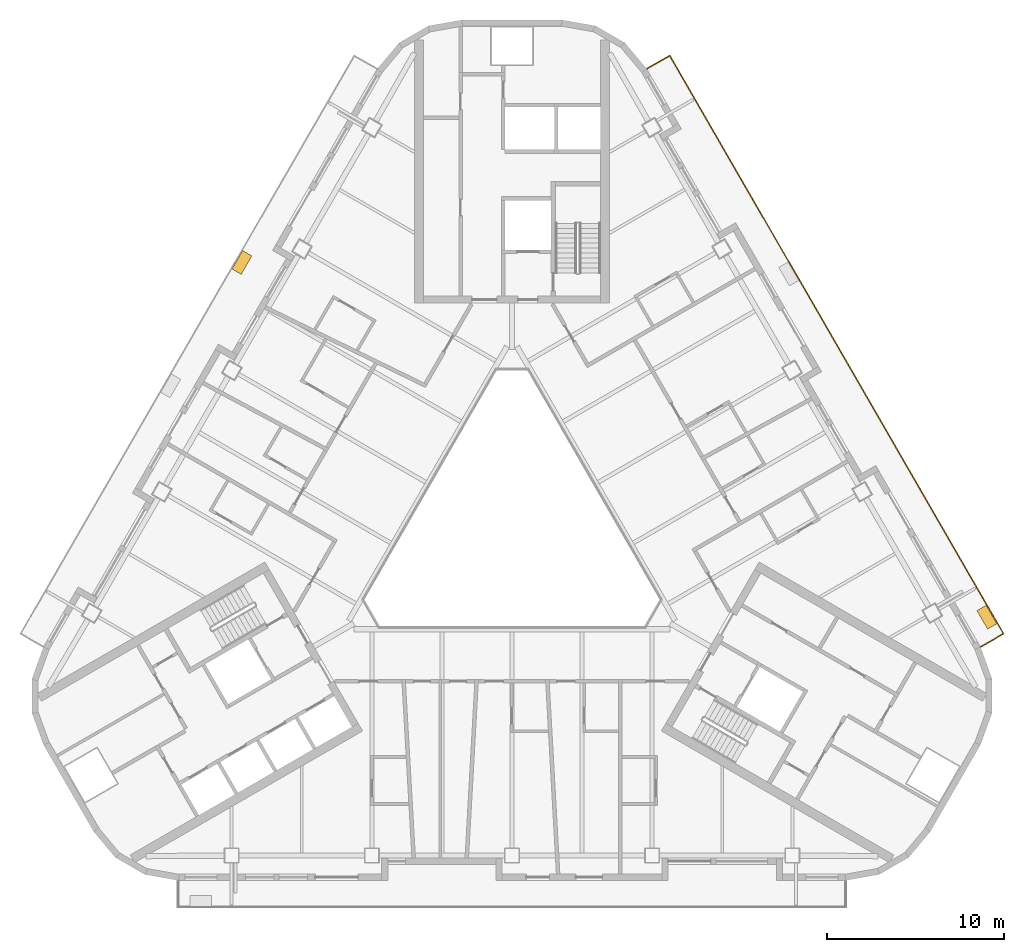
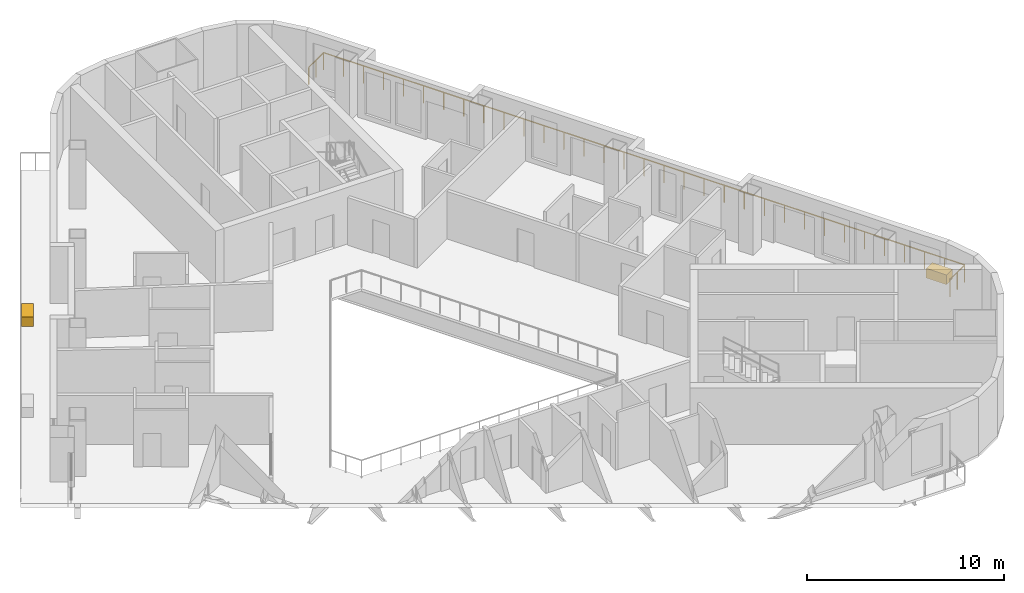
# One storey, part 13 of 14: 2 coverings, 1 railing.
"""IFC4 building model written with IfcOpenShell, lengths in metres."""

import ifcopenshell
import ifcopenshell.guid

model = None  # the IFC model being written
_history = None  # IfcOwnerHistory: only IFC2X3 demands one
_inside = {}  # id of a spatial element -> (the spatial element, [elements in it])
_under = {}  # id of a project, library or spatial element -> (it, [spatial elements below it])
_declared = {}  # id of a project -> (the project, [libraries it declares])
_typed = {}  # id of a type object -> (the type object, [elements of that type])
_made_of = {}  # id of a material, layer set ... -> (it, [elements and type objects made of it])


def new_model(schema):
    """Start an empty IFC model of exactly this schema.

    Asked for "IFC4X3", IfcOpenShell would pick the latest addendum, in which some entities
    have other attributes; the version numbers below select the first issue.
    IFC2X3 requires an IfcOwnerHistory on every rooted entity: one is made here for all.
    """
    global model, _history
    if schema == "IFC4X3":
        model = ifcopenshell.file(schema_version=(4, 3, 0, 0))
    else:
        model = ifcopenshell.file(schema=schema)
    _inside.clear()
    _under.clear()
    _declared.clear()
    _typed.clear()
    _made_of.clear()
    _history = None
    if model.schema == "IFC2X3":
        org = make("IfcOrganization", Name="unknown")
        user = make(
            "IfcPersonAndOrganization",
            ThePerson=make("IfcPerson", FamilyName="unknown"),
            TheOrganization=org,
        )
        app = make(
            "IfcApplication",
            ApplicationDeveloper=org,
            Version="unknown",
            ApplicationFullName="unknown",
            ApplicationIdentifier="unknown",
        )
        _history = make(
            "IfcOwnerHistory",
            OwningUser=user,
            OwningApplication=app,
            ChangeAction="ADDED",
            CreationDate=0,
        )
    return model


def make(cls, **values):
    """One entity of the class cls with the attributes given. An attribute that is None is left unset."""
    return model.create_entity(
        cls, **{name: value for name, value in values.items() if value is not None}
    )


def rooted(cls, **values):
    """An entity with a GlobalId (a new one), such as an element, a storey or a relation."""
    return make(cls, GlobalId=ifcopenshell.guid.new(), OwnerHistory=_history, **values)


def si_unit(unit_type, name, prefix=None):
    """IfcSIUnit, for example si_unit("LENGTHUNIT", "METRE", prefix="MILLI")."""
    return make("IfcSIUnit", UnitType=unit_type, Prefix=prefix, Name=name)


def assignment(units):
    """IfcUnitAssignment: the units of a project."""
    return None if units is None else make("IfcUnitAssignment", Units=units)


def point(xyz):
    """IfcCartesianPoint."""
    return None if xyz is None else make("IfcCartesianPoint", Coordinates=xyz)


def direction(xyz):
    """IfcDirection."""
    return None if xyz is None else make("IfcDirection", DirectionRatios=xyz)


def frame(location, z_axis=None, x_axis=None):
    """IfcAxis2Placement3D, a coordinate frame: its origin and axes. An axis left out is left unset."""
    return make(
        "IfcAxis2Placement3D",
        Location=point(location),
        Axis=direction(z_axis),
        RefDirection=direction(x_axis),
    )


def frame_2d(location, x_axis=None):
    """IfcAxis2Placement2D, a coordinate frame in the plane: its origin and x axis."""
    return make(
        "IfcAxis2Placement2D", Location=point(location), RefDirection=direction(x_axis)
    )


def origin():
    """The frame at (0, 0, 0) with its axes left unset."""
    return frame((0.0, 0.0, 0.0))


def origin_2d():
    """The frame at (0, 0) in the plane with its x axis left unset."""
    return frame_2d((0.0, 0.0))


def place(relative_to, where):
    """IfcLocalPlacement: puts the frame where relative to a parent placement (None: the world)."""
    return make(
        "IfcLocalPlacement", PlacementRelTo=relative_to, RelativePlacement=where
    )


def context(
    kind, dimensions, precision=None, world=None, true_north=None, identifier=None
):
    """IfcGeometricRepresentationContext, for example the 3D "Model" context."""
    return make(
        "IfcGeometricRepresentationContext",
        ContextIdentifier=identifier,
        ContextType=kind,
        CoordinateSpaceDimension=dimensions,
        Precision=precision,
        WorldCoordinateSystem=world,
        TrueNorth=true_north,
    )


def subcontext(parent, identifier, kind, view, scale=None):
    """IfcGeometricRepresentationSubContext, for example "Body" below "Model"."""
    return make(
        "IfcGeometricRepresentationSubContext",
        ContextIdentifier=identifier,
        ContextType=kind,
        ParentContext=parent,
        TargetScale=scale,
        TargetView=view,
    )


def project(units=None, contexts=None):
    """IfcProject with its units and contexts."""
    return rooted(
        "IfcProject",
        Name="project",
        RepresentationContexts=contexts,
        UnitsInContext=assignment(units),
    )


def spatial(cls, under=None, at=None, **own):
    """A site, building, storey or space (cls), placed at a placement, below another one or the project."""
    s = rooted(cls, ObjectPlacement=at, **own)
    if under is not None:
        _under.setdefault(under.id(), (under, []))[1].append(s)
    return s


def profile(cls, at=None, kind="AREA", **sizes):
    """A parametric profile (cls). Its sizes go by their IFC names, for example OverallWidth=200.0."""
    return make(cls, ProfileType=kind, Position=at, **sizes)


def rectangle(**sizes):
    """IfcRectangleProfileDef."""
    return profile("IfcRectangleProfileDef", **sizes)


def extrude(swept, where, along, depth):
    """IfcExtrudedAreaSolid: the profile swept, set in the frame where, extruded along a direction by depth."""
    return make(
        "IfcExtrudedAreaSolid",
        SweptArea=swept,
        Position=where,
        ExtrudedDirection=direction(along),
        Depth=depth,
    )


def shape(context_of_items, identifier, shape_type, items):
    """IfcShapeRepresentation: the items that make up one representation, for example the "Body"."""
    return make(
        "IfcShapeRepresentation",
        ContextOfItems=context_of_items,
        RepresentationIdentifier=identifier,
        RepresentationType=shape_type,
        Items=items,
    )


def material(Name=None, Category=None):
    """IfcMaterial."""
    return make("IfcMaterial", Name=Name, Category=Category)


def made_of(thing, what):
    """Note that an element or type object is made of a material, layer set ...; save() writes the relation."""
    if what is not None:
        _made_of.setdefault(what.id(), (what, []))[1].append(thing)
    return thing


def type_object(cls, material=None, **own):
    """A type object (cls), such as IfcWallType, which elements share."""
    return made_of(rooted(cls, **own), material)


def element(
    cls,
    number,
    at=None,
    inside=None,
    cuts=None,
    type_object=None,
    material=None,
    context=None,
    identifier="Body",
    shape_type=None,
    held_by="IfcProductDefinitionShape",
    body=None,
    shapes=None,
    **own,
):
    """One element of the class cls, such as IfcWall. Its Tag is "e" and its number.

    at: its placement. inside: the storey or other place that contains it. cuts: it is an
    opening in that element (IfcRelVoidsElement). A single representation is given by context,
    identifier, shape_type and body (its items); several are given by shapes. held_by: the class
    of the entity that holds the representations. save() writes the other relations.
    """
    e = rooted(cls, Tag="e%d" % number, ObjectPlacement=at, **own)
    if body is not None:
        shapes = [shape(context, identifier, shape_type, body)]
    if shapes is not None:
        e.Representation = make(held_by, Representations=shapes)
    if inside is not None:
        _inside.setdefault(inside.id(), (inside, []))[1].append(e)
    if cuts is not None:
        rooted(
            "IfcRelVoidsElement", RelatingBuildingElement=cuts, RelatedOpeningElement=e
        )
    if type_object is not None:
        _typed.setdefault(type_object.id(), (type_object, []))[1].append(e)
    return made_of(e, material)


def aggregate(whole, parts):
    """IfcRelAggregates: a whole, such as a stair, and the parts it consists of."""
    return rooted("IfcRelAggregates", RelatingObject=whole, RelatedObjects=parts)


def save(model, path):
    """Write the relations noted so far, then the file.

    IfcRelAggregates (storeys below a building ...), IfcRelContainedInSpatialStructure (elements
    in a storey), IfcRelDefinesByType, IfcRelAssociatesMaterial and IfcRelDeclares: one each for
    every whole, place, type object, material and project.
    """
    for whole, parts in _under.values():
        aggregate(whole, parts)
    for where, things in _inside.values():
        rooted(
            "IfcRelContainedInSpatialStructure",
            RelatedElements=things,
            RelatingStructure=where,
        )
    for kind, things in _typed.values():
        rooted("IfcRelDefinesByType", RelatedObjects=things, RelatingType=kind)
    for what, things in _made_of.values():
        rooted("IfcRelAssociatesMaterial", RelatedObjects=things, RelatingMaterial=what)
    for by, libraries in _declared.values():
        rooted("IfcRelDeclares", RelatingContext=by, RelatedDefinitions=libraries)
    model.write(path)


model = new_model("IFC4")

# Units and contexts
model_context = context("Model", 3, precision=1e-05, world=origin(), true_north=direction((0.0, 1.0)))
body_context = subcontext(model_context, "Body", "Model", "MODEL_VIEW")
ifc_project = project(units=[si_unit("LENGTHUNIT", "METRE"), si_unit("AREAUNIT", "SQUARE_METRE"), si_unit("VOLUMEUNIT", "CUBIC_METRE"), si_unit("PLANEANGLEUNIT", "RADIAN"), si_unit("MASSUNIT", "GRAM", prefix="KILO")], contexts=[model_context])

# Site, building, storey
site_placement = place(None, origin())
site = spatial("IfcSite", under=ifc_project, at=site_placement, CompositionType="ELEMENT")
building_placement = place(site_placement, origin())
building = spatial("IfcBuilding", under=site, at=building_placement, Name="Apuvela Tower Hotel", CompositionType="ELEMENT")
storey_placement = place(building_placement, frame((0.0, 0.0, 150.300048828125)))
storey = spatial("IfcBuildingStorey", under=building, at=storey_placement, Name="L35", CompositionType="ELEMENT", Elevation=150.300048828125)

# Railing
ifc_material_1 = material(Name="Stainless steel 316 rail with laminated glass infill", Category="steel")
railing_type = type_object("IfcRailingType", Name="ENV-GUARD-1100", PredefinedType="GUARDRAIL", material=ifc_material_1)
railing_placement = place(storey_placement, frame((26.407958984375, -6.47998046875, 0.0)))
element("IfcRailing", 1, at=railing_placement, inside=storey, type_object=railing_type, Name="Balcony guard NE L35", PredefinedType="GUARDRAIL", context=body_context, shape_type="SweptSolid", body=[
    extrude(rectangle(XDim=0.050048828125, YDim=0.050048828125, at=origin_2d()), frame((0.0, 0.0, 1.0751953125), z_axis=(0.866031096941, 0.499990139034, 0.0), x_axis=(-0.499990139034, 0.866031096941, 0.0)), (0.0, 0.0, 1.0), 1.5),
    extrude(rectangle(XDim=0.050048828125, YDim=0.050048828125, at=origin_2d()), frame((1.299072265625, 0.75, 1.0751953125), z_axis=(-0.500000437506, 0.86602515119, 0.0), x_axis=(-0.86602515119, -0.500000437506, 0.0)), (0.0, 0.0, 1.0), 37.6318359375),
    extrude(rectangle(XDim=0.050048828125, YDim=0.050048828125, at=origin_2d()), frame((-17.516845703125, 33.340087890625, 1.0751953125), z_axis=(-0.86599040064, -0.500060622324, 0.0), x_axis=(0.500060622324, -0.86599040064, 0.0)), (0.0, 0.0, 1.0), 1.499755859375),
    extrude(rectangle(XDim=0.0400390625, YDim=0.0400390625, at=origin_2d()), origin(), (0.0, 0.0, 1.0), 1.050048828125),
    extrude(rectangle(XDim=0.0400390625, YDim=0.0400390625, at=origin_2d()), frame((0.6494140625, 0.375, 0.0)), (0.0, 0.0, 1.0), 1.050048828125),
    extrude(rectangle(XDim=0.0400390625, YDim=0.0400390625, at=origin_2d()), frame((1.299072265625, 0.75, 0.0)), (0.0, 0.0, 1.0), 1.050048828125),
    extrude(rectangle(XDim=0.0400390625, YDim=0.0400390625, at=origin_2d()), frame((0.711181640625, 1.7685546875, 0.0)), (0.0, 0.0, 1.0), 1.050048828125),
    extrude(rectangle(XDim=0.0400390625, YDim=0.0400390625, at=origin_2d()), frame((0.123046875, 2.786865234375, 0.0)), (0.0, 0.0, 1.0), 1.050048828125),
    extrude(rectangle(XDim=0.0400390625, YDim=0.0400390625, at=origin_2d()), frame((-0.46484375, 3.805419921875, 0.0)), (0.0, 0.0, 1.0), 1.050048828125),
    extrude(rectangle(XDim=0.0400390625, YDim=0.0400390625, at=origin_2d()), frame((-1.052978515625, 4.82373046875, 0.0)), (0.0, 0.0, 1.0), 1.050048828125),
    extrude(rectangle(XDim=0.0400390625, YDim=0.0400390625, at=origin_2d()), frame((-1.640869140625, 5.84228515625, 0.0)), (0.0, 0.0, 1.0), 1.050048828125),
    extrude(rectangle(XDim=0.0400390625, YDim=0.0400390625, at=origin_2d()), frame((-2.22900390625, 6.860595703125, 0.0)), (0.0, 0.0, 1.0), 1.050048828125),
    extrude(rectangle(XDim=0.0400390625, YDim=0.0400390625, at=origin_2d()), frame((-2.81689453125, 7.879150390625, 0.0)), (0.0, 0.0, 1.0), 1.050048828125),
    extrude(rectangle(XDim=0.0400390625, YDim=0.0400390625, at=origin_2d()), frame((-3.40478515625, 8.8974609375, 0.0)), (0.0, 0.0, 1.0), 1.050048828125),
    extrude(rectangle(XDim=0.0400390625, YDim=0.0400390625, at=origin_2d()), frame((-3.992919921875, 9.916015625, 0.0)), (0.0, 0.0, 1.0), 1.050048828125),
    extrude(rectangle(XDim=0.0400390625, YDim=0.0400390625, at=origin_2d()), frame((-4.580810546875, 10.934326171875, 0.0)), (0.0, 0.0, 1.0), 1.050048828125),
    extrude(rectangle(XDim=0.0400390625, YDim=0.0400390625, at=origin_2d()), frame((-5.1689453125, 11.952880859375, 0.0)), (0.0, 0.0, 1.0), 1.050048828125),
    extrude(rectangle(XDim=0.0400390625, YDim=0.0400390625, at=origin_2d()), frame((-5.7568359375, 12.97119140625, 0.0)), (0.0, 0.0, 1.0), 1.050048828125),
    extrude(rectangle(XDim=0.0400390625, YDim=0.0400390625, at=origin_2d()), frame((-6.344970703125, 13.98974609375, 0.0)), (0.0, 0.0, 1.0), 1.050048828125),
    extrude(rectangle(XDim=0.0400390625, YDim=0.0400390625, at=origin_2d()), frame((-6.932861328125, 15.008056640625, 0.0)), (0.0, 0.0, 1.0), 1.050048828125),
    extrude(rectangle(XDim=0.0400390625, YDim=0.0400390625, at=origin_2d()), frame((-7.52099609375, 16.026611328125, 0.0)), (0.0, 0.0, 1.0), 1.050048828125),
    extrude(rectangle(XDim=0.0400390625, YDim=0.0400390625, at=origin_2d()), frame((-8.10888671875, 17.044921875, 0.0)), (0.0, 0.0, 1.0), 1.050048828125),
    extrude(rectangle(XDim=0.0400390625, YDim=0.0400390625, at=origin_2d()), frame((-8.69677734375, 18.0634765625, 0.0)), (0.0, 0.0, 1.0), 1.050048828125),
    extrude(rectangle(XDim=0.0400390625, YDim=0.0400390625, at=origin_2d()), frame((-9.284912109375, 19.08203125, 0.0)), (0.0, 0.0, 1.0), 1.050048828125),
    extrude(rectangle(XDim=0.0400390625, YDim=0.0400390625, at=origin_2d()), frame((-9.872802734375, 20.100341796875, 0.0)), (0.0, 0.0, 1.0), 1.050048828125),
    extrude(rectangle(XDim=0.0400390625, YDim=0.0400390625, at=origin_2d()), frame((-10.4609375, 21.118896484375, 0.0)), (0.0, 0.0, 1.0), 1.050048828125),
    extrude(rectangle(XDim=0.0400390625, YDim=0.0400390625, at=origin_2d()), frame((-11.048828125, 22.13720703125, 0.0)), (0.0, 0.0, 1.0), 1.050048828125),
    extrude(rectangle(XDim=0.0400390625, YDim=0.0400390625, at=origin_2d()), frame((-11.636962890625, 23.15576171875, 0.0)), (0.0, 0.0, 1.0), 1.050048828125),
    extrude(rectangle(XDim=0.0400390625, YDim=0.0400390625, at=origin_2d()), frame((-12.224853515625, 24.174072265625, 0.0)), (0.0, 0.0, 1.0), 1.050048828125),
    extrude(rectangle(XDim=0.0400390625, YDim=0.0400390625, at=origin_2d()), frame((-12.81298828125, 25.192626953125, 0.0)), (0.0, 0.0, 1.0), 1.050048828125),
    extrude(rectangle(XDim=0.0400390625, YDim=0.0400390625, at=origin_2d()), frame((-13.40087890625, 26.2109375, 0.0)), (0.0, 0.0, 1.0), 1.050048828125),
    extrude(rectangle(XDim=0.0400390625, YDim=0.0400390625, at=origin_2d()), frame((-13.98876953125, 27.2294921875, 0.0)), (0.0, 0.0, 1.0), 1.050048828125),
    extrude(rectangle(XDim=0.0400390625, YDim=0.0400390625, at=origin_2d()), frame((-14.576904296875, 28.247802734375, 0.0)), (0.0, 0.0, 1.0), 1.050048828125),
    extrude(rectangle(XDim=0.0400390625, YDim=0.0400390625, at=origin_2d()), frame((-15.164794921875, 29.266357421875, 0.0)), (0.0, 0.0, 1.0), 1.050048828125),
    extrude(rectangle(XDim=0.0400390625, YDim=0.0400390625, at=origin_2d()), frame((-15.7529296875, 30.28466796875, 0.0)), (0.0, 0.0, 1.0), 1.050048828125),
    extrude(rectangle(XDim=0.0400390625, YDim=0.0400390625, at=origin_2d()), frame((-16.3408203125, 31.30322265625, 0.0)), (0.0, 0.0, 1.0), 1.050048828125),
    extrude(rectangle(XDim=0.0400390625, YDim=0.0400390625, at=origin_2d()), frame((-16.928955078125, 32.321533203125, 0.0)), (0.0, 0.0, 1.0), 1.050048828125),
    extrude(rectangle(XDim=0.0400390625, YDim=0.0400390625, at=origin_2d()), frame((-17.516845703125, 33.340087890625, 0.0)), (0.0, 0.0, 1.0), 1.050048828125),
    extrude(rectangle(XDim=0.0400390625, YDim=0.0400390625, at=origin_2d()), frame((-18.166259765625, 32.965087890625, 0.0)), (0.0, 0.0, 1.0), 1.050048828125),
    extrude(rectangle(XDim=0.0400390625, YDim=0.0400390625, at=origin_2d()), frame((-18.815673828125, 32.590087890625, 0.0)), (0.0, 0.0, 1.0), 1.050048828125),
])

# Coverings
ifc_material_2 = material(Name="Planting substrate and soil, planted")
covering_type = type_object("IfcCoveringType", Name="ENV-PLANTER-1200x600", PredefinedType="USERDEFINED", material=ifc_material_2)
for number, where, z_axis, x_axis, name in (
    (2, (26.763916015625, -4.79638671875, 0.0), (0.0, 0.0, 1.0), (-0.5, 0.866025403784, 0.0), "Planter NE2"),
    (3, (-15.220947265625, 15.196533203125, 0.0), (0.0, 0.0, 1.0), (-0.5, -0.866025403784, 0.0), "Planter NW4"),
):
    element("IfcCovering", number, at=place(storey_placement, frame(where, z_axis=z_axis, x_axis=x_axis)), inside=storey, type_object=covering_type, Name=name, ObjectType="PLANTER", PredefinedType="USERDEFINED", context=body_context, shape_type="SweptSolid", body=[
        extrude(rectangle(XDim=1.199951171875, YDim=0.60009765625, at=origin_2d()), origin(), (0.0, 0.0, 1.0), 0.60009765625),
    ])

save(model, "model.ifc")
